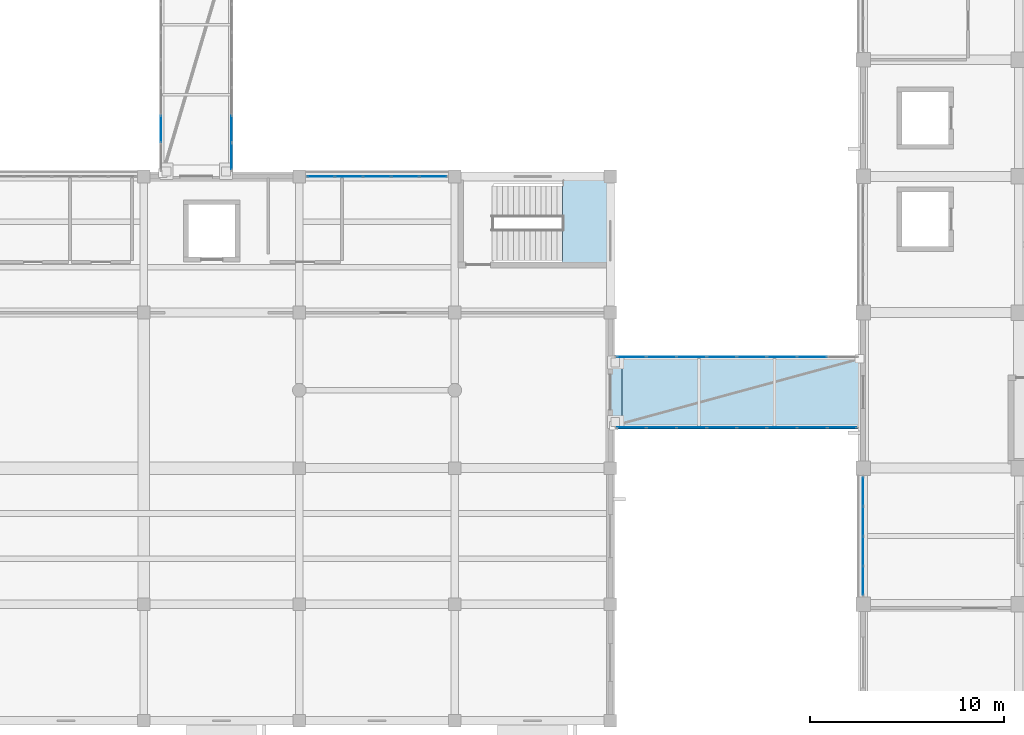
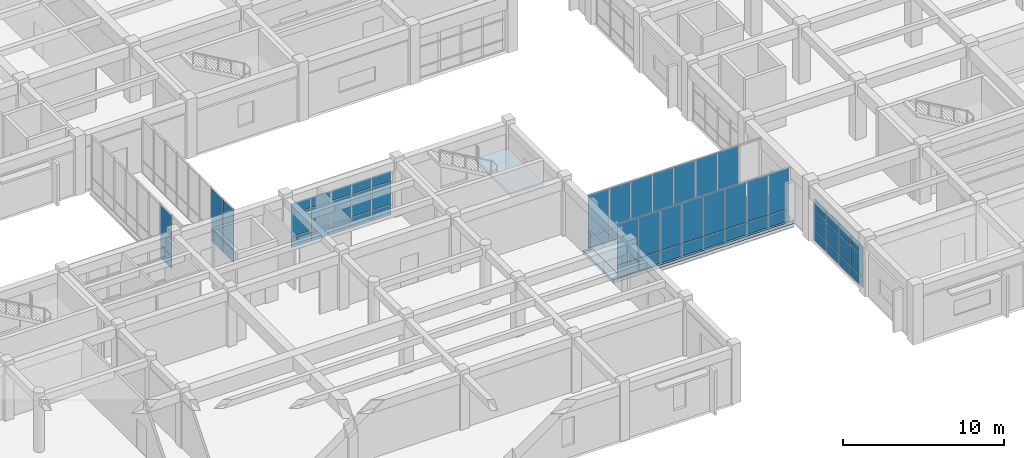
# One storey, part 39 of 70: 64 plates, 2 slabs, 7 elements without a shape of their own.
"""IFC4 building model written with IfcOpenShell, lengths in metres."""

from ifc_helpers import new_model, si_unit, direction, frame, origin, origin_2d, place, context, subcontext, project, spatial, polyline, rectangle, outline, extrude, material, layer, layer_set, type_object, element, aggregate, save


model = new_model("IFC4")

# Units and contexts
model_context = context("Model", 3, precision=1e-05, world=origin(), true_north=direction((0.0, 1.0)))
body_context = subcontext(model_context, "Body", "Model", "MODEL_VIEW")
ifc_project = project(units=[si_unit("LENGTHUNIT", "METRE"), si_unit("AREAUNIT", "SQUARE_METRE"), si_unit("VOLUMEUNIT", "CUBIC_METRE"), si_unit("PLANEANGLEUNIT", "RADIAN"), si_unit("MASSUNIT", "GRAM", prefix="KILO")], contexts=[model_context])

# Site, building, storey
site_placement = place(None, origin())
site = spatial("IfcSite", under=ifc_project, at=site_placement, CompositionType="ELEMENT")
building_placement = place(site_placement, origin())
building = spatial("IfcBuilding", under=site, at=building_placement, Name="Naurynzar Civic Courthouse", CompositionType="ELEMENT")
storey_placement = place(building_placement, frame((0.0, 0.0, 5.39990234375)))
storey = spatial("IfcBuildingStorey", under=building, at=storey_placement, Name="L02", CompositionType="ELEMENT", Elevation=5.39990234375)

# Curtain wall, plates
ifc_material_1 = material(Name="Aluminium 6063-T6", Category="aluminium")
ifc_layer_1 = layer(ifc_material_1, 0.179931640625)
ifc_layer_set_1 = layer_set([ifc_layer_1], Name="CW-UNIT-1500")
curtain_wall_type_1 = type_object("IfcCurtainWallType", Name="CW-UNIT-1500", PredefinedType="NOTDEFINED", material=ifc_layer_set_1)
curtain_wall_1_placement = place(storey_placement, origin())
curtain_wall_1 = element("IfcCurtainWall", 1, at=curtain_wall_1_placement, inside=storey, type_object=curtain_wall_type_1, Name="V3 unitised curtain wall 66 L02", PredefinedType="NOTDEFINED")
ifc_material_2 = material(Name="Tempered Laminated Low-E Glass", Category="glass")
ifc_layer_2 = layer(ifc_material_2, 0.031982421875)
ifc_layer_set_2 = layer_set([ifc_layer_2], Name="CWP-IGU-32")
plate_type_1 = type_object("IfcPlateType", Name="CWP-IGU-32", PredefinedType="CURTAIN_PANEL", material=ifc_layer_set_2)
plate_1_placement = place(storey_placement, frame((102.114990234375, 32.0, 0.06005859375), z_axis=(0.0, 0.0, 1.0), x_axis=(1.0, 0.0, 0.0)))
plate_1 = element("IfcPlate", 2, at=plate_1_placement, type_object=plate_type_1, Name="CW-01 panel 1.1", PredefinedType="CURTAIN_PANEL", context=body_context, shape_type="SweptSolid", body=[
    extrude(rectangle(XDim=1.360107421875, YDim=0.031982421875, at=origin_2d()), origin(), (0.0, 0.0, 1.0), 0.760009765625),
])
plate_2_placement = place(storey_placement, frame((102.114990234375, 32.0, 0.88037109375), z_axis=(0.0, 0.0, 1.0), x_axis=(1.0, 0.0, 0.0)))
plate_2 = element("IfcPlate", 3, at=plate_2_placement, type_object=plate_type_1, Name="CW-01 panel 1.2", PredefinedType="CURTAIN_PANEL", context=body_context, shape_type="SweptSolid", body=[
    extrude(rectangle(XDim=1.360107421875, YDim=0.031982421875, at=origin_2d()), origin(), (0.0, 0.0, 1.0), 1.679931640625),
])
plate_3_placement = place(storey_placement, frame((102.114990234375, 32.0, 2.6201171875), z_axis=(0.0, 0.0, 1.0), x_axis=(1.0, 0.0, 0.0)))
plate_3 = element("IfcPlate", 4, at=plate_3_placement, type_object=plate_type_1, Name="CW-01 panel 1.3", PredefinedType="CURTAIN_PANEL", context=body_context, shape_type="SweptSolid", body=[
    extrude(rectangle(XDim=1.360107421875, YDim=0.031982421875, at=origin_2d()), origin(), (0.0, 0.0, 1.0), 0.760009765625),
])
plate_4_placement = place(storey_placement, frame((103.550048828125, 32.0, 0.06005859375), z_axis=(0.0, 0.0, 1.0), x_axis=(1.0, 0.0, 0.0)))
plate_4 = element("IfcPlate", 5, at=plate_4_placement, type_object=plate_type_1, Name="CW-01 panel 2.1", PredefinedType="CURTAIN_PANEL", context=body_context, shape_type="SweptSolid", body=[
    extrude(rectangle(XDim=1.389892578125, YDim=0.031982421875, at=origin_2d()), origin(), (0.0, 0.0, 1.0), 0.760009765625),
])
plate_5_placement = place(storey_placement, frame((103.550048828125, 32.0, 0.88037109375), z_axis=(0.0, 0.0, 1.0), x_axis=(1.0, 0.0, 0.0)))
plate_5 = element("IfcPlate", 6, at=plate_5_placement, type_object=plate_type_1, Name="CW-01 panel 2.2", PredefinedType="CURTAIN_PANEL", context=body_context, shape_type="SweptSolid", body=[
    extrude(rectangle(XDim=1.389892578125, YDim=0.031982421875, at=origin_2d()), origin(), (0.0, 0.0, 1.0), 1.679931640625),
])
plate_6_placement = place(storey_placement, frame((103.550048828125, 32.0, 2.6201171875), z_axis=(0.0, 0.0, 1.0), x_axis=(1.0, 0.0, 0.0)))
plate_6 = element("IfcPlate", 7, at=plate_6_placement, type_object=plate_type_1, Name="CW-01 panel 2.3", PredefinedType="CURTAIN_PANEL", context=body_context, shape_type="SweptSolid", body=[
    extrude(rectangle(XDim=1.389892578125, YDim=0.031982421875, at=origin_2d()), origin(), (0.0, 0.0, 1.0), 0.760009765625),
])
plate_7_placement = place(storey_placement, frame((105.0, 32.0, 0.06005859375), z_axis=(0.0, 0.0, 1.0), x_axis=(1.0, 0.0, 0.0)))
plate_7 = element("IfcPlate", 8, at=plate_7_placement, type_object=plate_type_1, Name="CW-01 panel 3.1", PredefinedType="CURTAIN_PANEL", context=body_context, shape_type="SweptSolid", body=[
    extrude(rectangle(XDim=1.389892578125, YDim=0.031982421875, at=origin_2d()), origin(), (0.0, 0.0, 1.0), 0.760009765625),
])
plate_8_placement = place(storey_placement, frame((105.0, 32.0, 0.88037109375), z_axis=(0.0, 0.0, 1.0), x_axis=(1.0, 0.0, 0.0)))
plate_8 = element("IfcPlate", 9, at=plate_8_placement, type_object=plate_type_1, Name="CW-01 panel 3.2", PredefinedType="CURTAIN_PANEL", context=body_context, shape_type="SweptSolid", body=[
    extrude(rectangle(XDim=1.389892578125, YDim=0.031982421875, at=origin_2d()), origin(), (0.0, 0.0, 1.0), 1.679931640625),
])
plate_9_placement = place(storey_placement, frame((105.0, 32.0, 2.6201171875), z_axis=(0.0, 0.0, 1.0), x_axis=(1.0, 0.0, 0.0)))
plate_9 = element("IfcPlate", 10, at=plate_9_placement, type_object=plate_type_1, Name="CW-01 panel 3.3", PredefinedType="CURTAIN_PANEL", context=body_context, shape_type="SweptSolid", body=[
    extrude(rectangle(XDim=1.389892578125, YDim=0.031982421875, at=origin_2d()), origin(), (0.0, 0.0, 1.0), 0.760009765625),
])
plate_10_placement = place(storey_placement, frame((106.449951171875, 32.0, 0.06005859375), z_axis=(0.0, 0.0, 1.0), x_axis=(1.0, 0.0, 0.0)))
plate_10 = element("IfcPlate", 11, at=plate_10_placement, type_object=plate_type_1, Name="CW-01 panel 4.1", PredefinedType="CURTAIN_PANEL", context=body_context, shape_type="SweptSolid", body=[
    extrude(rectangle(XDim=1.389892578125, YDim=0.031982421875, at=origin_2d()), origin(), (0.0, 0.0, 1.0), 0.760009765625),
])
plate_11_placement = place(storey_placement, frame((106.449951171875, 32.0, 0.88037109375), z_axis=(0.0, 0.0, 1.0), x_axis=(1.0, 0.0, 0.0)))
plate_11 = element("IfcPlate", 12, at=plate_11_placement, type_object=plate_type_1, Name="CW-01 panel 4.2", PredefinedType="CURTAIN_PANEL", context=body_context, shape_type="SweptSolid", body=[
    extrude(rectangle(XDim=1.389892578125, YDim=0.031982421875, at=origin_2d()), origin(), (0.0, 0.0, 1.0), 1.679931640625),
])
plate_12_placement = place(storey_placement, frame((106.449951171875, 32.0, 2.6201171875), z_axis=(0.0, 0.0, 1.0), x_axis=(1.0, 0.0, 0.0)))
plate_12 = element("IfcPlate", 13, at=plate_12_placement, type_object=plate_type_1, Name="CW-01 panel 4.3", PredefinedType="CURTAIN_PANEL", context=body_context, shape_type="SweptSolid", body=[
    extrude(rectangle(XDim=1.389892578125, YDim=0.031982421875, at=origin_2d()), origin(), (0.0, 0.0, 1.0), 0.760009765625),
])
plate_13_placement = place(storey_placement, frame((107.885009765625, 32.0, 0.06005859375), z_axis=(0.0, 0.0, 1.0), x_axis=(1.0, 0.0, 0.0)))
plate_13 = element("IfcPlate", 14, at=plate_13_placement, type_object=plate_type_1, Name="CW-01 panel 5.1", PredefinedType="CURTAIN_PANEL", context=body_context, shape_type="SweptSolid", body=[
    extrude(rectangle(XDim=1.360107421875, YDim=0.031982421875, at=origin_2d()), origin(), (0.0, 0.0, 1.0), 0.760009765625),
])
plate_14_placement = place(storey_placement, frame((107.885009765625, 32.0, 0.88037109375), z_axis=(0.0, 0.0, 1.0), x_axis=(1.0, 0.0, 0.0)))
plate_14 = element("IfcPlate", 15, at=plate_14_placement, type_object=plate_type_1, Name="CW-01 panel 5.2", PredefinedType="CURTAIN_PANEL", context=body_context, shape_type="SweptSolid", body=[
    extrude(rectangle(XDim=1.360107421875, YDim=0.031982421875, at=origin_2d()), origin(), (0.0, 0.0, 1.0), 1.679931640625),
])
plate_15_placement = place(storey_placement, frame((107.885009765625, 32.0, 2.6201171875), z_axis=(0.0, 0.0, 1.0), x_axis=(1.0, 0.0, 0.0)))
plate_15 = element("IfcPlate", 16, at=plate_15_placement, type_object=plate_type_1, Name="CW-01 panel 5.3", PredefinedType="CURTAIN_PANEL", context=body_context, shape_type="SweptSolid", body=[
    extrude(rectangle(XDim=1.360107421875, YDim=0.031982421875, at=origin_2d()), origin(), (0.0, 0.0, 1.0), 0.760009765625),
])
aggregate(curtain_wall_1, [plate_1, plate_2, plate_3, plate_4, plate_5, plate_6, plate_7, plate_8, plate_9, plate_10, plate_11, plate_12, plate_13, plate_14, plate_15])

curtain_wall_2_placement = place(storey_placement, origin())
curtain_wall_2 = element("IfcCurtainWall", 17, at=curtain_wall_2_placement, inside=storey, type_object=curtain_wall_type_1, Name="V5 unitised curtain wall 85 L02", PredefinedType="NOTDEFINED")
plate_16_placement = place(storey_placement, frame((130.0, 11.208740234375, 0.06005859375), z_axis=(0.0, 0.0, 1.0), x_axis=(0.0, 1.0, 0.0)))
plate_16 = element("IfcPlate", 18, at=plate_16_placement, type_object=plate_type_1, Name="CW-01 panel 1.1", PredefinedType="CURTAIN_PANEL", context=body_context, shape_type="SweptSolid", body=[
    extrude(rectangle(XDim=1.447509765625, YDim=0.031982421875, at=origin_2d()), origin(), (0.0, 0.0, 1.0), 0.760009765625),
])
plate_17_placement = place(storey_placement, frame((130.0, 11.208740234375, 0.8798828125), z_axis=(0.0, 0.0, 1.0), x_axis=(0.0, 1.0, 0.0)))
plate_17 = element("IfcPlate", 19, at=plate_17_placement, type_object=plate_type_1, Name="CW-01 panel 1.2", PredefinedType="CURTAIN_PANEL", context=body_context, shape_type="SweptSolid", body=[
    extrude(rectangle(XDim=1.447509765625, YDim=0.031982421875, at=origin_2d()), origin(), (0.0, 0.0, 1.0), 1.469970703125),
])
plate_18_placement = place(storey_placement, frame((130.0, 11.208740234375, 2.41015625), z_axis=(0.0, 0.0, 1.0), x_axis=(0.0, 1.0, 0.0)))
plate_18 = element("IfcPlate", 20, at=plate_18_placement, type_object=plate_type_1, Name="CW-01 panel 1.3", PredefinedType="CURTAIN_PANEL", context=body_context, shape_type="SweptSolid", body=[
    extrude(rectangle(XDim=1.447509765625, YDim=0.031982421875, at=origin_2d()), origin(), (0.0, 0.0, 1.0), 0.760009765625),
])
plate_19_placement = place(storey_placement, frame((130.0, 12.731201171875, 0.06005859375), z_axis=(0.0, 0.0, 1.0), x_axis=(0.0, 1.0, 0.0)))
plate_19 = element("IfcPlate", 21, at=plate_19_placement, type_object=plate_type_1, Name="CW-01 panel 2.1", PredefinedType="CURTAIN_PANEL", context=body_context, shape_type="SweptSolid", body=[
    extrude(rectangle(XDim=1.4775390625, YDim=0.031982421875, at=origin_2d()), origin(), (0.0, 0.0, 1.0), 0.760009765625),
])
plate_20_placement = place(storey_placement, frame((130.0, 12.731201171875, 0.8798828125), z_axis=(0.0, 0.0, 1.0), x_axis=(0.0, 1.0, 0.0)))
plate_20 = element("IfcPlate", 22, at=plate_20_placement, type_object=plate_type_1, Name="CW-01 panel 2.2", PredefinedType="CURTAIN_PANEL", context=body_context, shape_type="SweptSolid", body=[
    extrude(rectangle(XDim=1.4775390625, YDim=0.031982421875, at=origin_2d()), origin(), (0.0, 0.0, 1.0), 1.469970703125),
])
plate_21_placement = place(storey_placement, frame((130.0, 12.731201171875, 2.41015625), z_axis=(0.0, 0.0, 1.0), x_axis=(0.0, 1.0, 0.0)))
plate_21 = element("IfcPlate", 23, at=plate_21_placement, type_object=plate_type_1, Name="CW-01 panel 2.3", PredefinedType="CURTAIN_PANEL", context=body_context, shape_type="SweptSolid", body=[
    extrude(rectangle(XDim=1.4775390625, YDim=0.031982421875, at=origin_2d()), origin(), (0.0, 0.0, 1.0), 0.760009765625),
])
plate_22_placement = place(storey_placement, frame((130.0, 14.268798828125, 0.06005859375), z_axis=(0.0, 0.0, 1.0), x_axis=(0.0, 1.0, 0.0)))
plate_22 = element("IfcPlate", 24, at=plate_22_placement, type_object=plate_type_1, Name="CW-01 panel 3.1", PredefinedType="CURTAIN_PANEL", context=body_context, shape_type="SweptSolid", body=[
    extrude(rectangle(XDim=1.4775390625, YDim=0.031982421875, at=origin_2d()), origin(), (0.0, 0.0, 1.0), 0.760009765625),
])
plate_23_placement = place(storey_placement, frame((130.0, 14.268798828125, 0.8798828125), z_axis=(0.0, 0.0, 1.0), x_axis=(0.0, 1.0, 0.0)))
plate_23 = element("IfcPlate", 25, at=plate_23_placement, type_object=plate_type_1, Name="CW-01 panel 3.2", PredefinedType="CURTAIN_PANEL", context=body_context, shape_type="SweptSolid", body=[
    extrude(rectangle(XDim=1.4775390625, YDim=0.031982421875, at=origin_2d()), origin(), (0.0, 0.0, 1.0), 1.469970703125),
])
plate_24_placement = place(storey_placement, frame((130.0, 14.268798828125, 2.41015625), z_axis=(0.0, 0.0, 1.0), x_axis=(0.0, 1.0, 0.0)))
plate_24 = element("IfcPlate", 26, at=plate_24_placement, type_object=plate_type_1, Name="CW-01 panel 3.3", PredefinedType="CURTAIN_PANEL", context=body_context, shape_type="SweptSolid", body=[
    extrude(rectangle(XDim=1.4775390625, YDim=0.031982421875, at=origin_2d()), origin(), (0.0, 0.0, 1.0), 0.760009765625),
])
plate_25_placement = place(storey_placement, frame((130.0, 15.791259765625, 0.06005859375), z_axis=(0.0, 0.0, 1.0), x_axis=(0.0, 1.0, 0.0)))
plate_25 = element("IfcPlate", 27, at=plate_25_placement, type_object=plate_type_1, Name="CW-01 panel 4.1", PredefinedType="CURTAIN_PANEL", context=body_context, shape_type="SweptSolid", body=[
    extrude(rectangle(XDim=1.447509765625, YDim=0.031982421875, at=origin_2d()), origin(), (0.0, 0.0, 1.0), 0.760009765625),
])
plate_26_placement = place(storey_placement, frame((130.0, 15.791259765625, 0.8798828125), z_axis=(0.0, 0.0, 1.0), x_axis=(0.0, 1.0, 0.0)))
plate_26 = element("IfcPlate", 28, at=plate_26_placement, type_object=plate_type_1, Name="CW-01 panel 4.2", PredefinedType="CURTAIN_PANEL", context=body_context, shape_type="SweptSolid", body=[
    extrude(rectangle(XDim=1.447509765625, YDim=0.031982421875, at=origin_2d()), origin(), (0.0, 0.0, 1.0), 1.469970703125),
])
plate_27_placement = place(storey_placement, frame((130.0, 15.791259765625, 2.41015625), z_axis=(0.0, 0.0, 1.0), x_axis=(0.0, 1.0, 0.0)))
plate_27 = element("IfcPlate", 29, at=plate_27_placement, type_object=plate_type_1, Name="CW-01 panel 4.3", PredefinedType="CURTAIN_PANEL", context=body_context, shape_type="SweptSolid", body=[
    extrude(rectangle(XDim=1.447509765625, YDim=0.031982421875, at=origin_2d()), origin(), (0.0, 0.0, 1.0), 0.760009765625),
])
aggregate(curtain_wall_2, [plate_16, plate_17, plate_18, plate_19, plate_20, plate_21, plate_22, plate_23, plate_24, plate_25, plate_26, plate_27])

ifc_material_3 = material(Name="Aluminium 6063-T6", Category="aluminium")
ifc_layer_3 = layer(ifc_material_3, 0.14990234375)
ifc_layer_set_3 = layer_set([ifc_layer_3], Name="CW-BRIDGE-1500")
curtain_wall_type_2 = type_object("IfcCurtainWallType", Name="CW-BRIDGE-1500", PredefinedType="USERDEFINED", material=ifc_layer_set_3)
curtain_wall_3_placement = place(storey_placement, origin())
curtain_wall_3 = element("IfcCurtainWall", 30, at=curtain_wall_3_placement, inside=storey, type_object=curtain_wall_type_2, Name="BR-C1 glazed bridge screen L02.1", ObjectType="GLAZED BRIDGE SCREEN", PredefinedType="USERDEFINED")
plate_28_placement = place(storey_placement, frame((93.8798828125, 34.4375, 0.06005859375), z_axis=(0.0, 0.0, 1.0), x_axis=(0.0, -1.0, 0.0)))
plate_28 = element("IfcPlate", 31, at=plate_28_placement, type_object=plate_type_1, Name="CW-03 panel 7.1", PredefinedType="CURTAIN_PANEL", context=body_context, shape_type="SweptSolid", body=[
    extrude(rectangle(XDim=1.364990234375, YDim=0.031982421875, at=origin_2d()), origin(), (0.0, 0.0, 1.0), 0.909912109375),
])
plate_29_placement = place(storey_placement, frame((93.8798828125, 34.4375, 1.0302734375), z_axis=(0.0, 0.0, 1.0), x_axis=(0.0, -1.0, 0.0)))
plate_29 = element("IfcPlate", 32, at=plate_29_placement, type_object=plate_type_1, Name="CW-03 panel 7.2", PredefinedType="CURTAIN_PANEL", context=body_context, shape_type="SweptSolid", body=[
    extrude(rectangle(XDim=1.364990234375, YDim=0.031982421875, at=origin_2d()), origin(), (0.0, 0.0, 1.0), 3.030029296875),
])
aggregate(curtain_wall_3, [plate_28, plate_29])

curtain_wall_4_placement = place(storey_placement, origin())
curtain_wall_4 = element("IfcCurtainWall", 33, at=curtain_wall_4_placement, inside=storey, type_object=curtain_wall_type_2, Name="BR-C1 glazed bridge screen L02.2", ObjectType="GLAZED BRIDGE SCREEN", PredefinedType="USERDEFINED")
plate_30_placement = place(storey_placement, frame((97.52001953125, 33.027587890625, 0.06005859375), z_axis=(0.0, 0.0, 1.0), x_axis=(0.0, 1.0, 0.0)))
plate_30 = element("IfcPlate", 34, at=plate_30_placement, type_object=plate_type_1, Name="CW-03 panel 1.1", PredefinedType="CURTAIN_PANEL", context=body_context, shape_type="SweptSolid", body=[
    extrude(rectangle(XDim=1.3349609375, YDim=0.031982421875, at=origin_2d()), origin(), (0.0, 0.0, 1.0), 0.909912109375),
])
plate_31_placement = place(storey_placement, frame((97.52001953125, 33.027587890625, 1.0302734375), z_axis=(0.0, 0.0, 1.0), x_axis=(0.0, 1.0, 0.0)))
plate_31 = element("IfcPlate", 35, at=plate_31_placement, type_object=plate_type_1, Name="CW-03 panel 1.2", PredefinedType="CURTAIN_PANEL", context=body_context, shape_type="SweptSolid", body=[
    extrude(rectangle(XDim=1.3349609375, YDim=0.031982421875, at=origin_2d()), origin(), (0.0, 0.0, 1.0), 3.030029296875),
])
plate_32_placement = place(storey_placement, frame((97.52001953125, 34.4375, 0.06005859375), z_axis=(0.0, 0.0, 1.0), x_axis=(0.0, 1.0, 0.0)))
plate_32 = element("IfcPlate", 36, at=plate_32_placement, type_object=plate_type_1, Name="CW-03 panel 2.1", PredefinedType="CURTAIN_PANEL", context=body_context, shape_type="SweptSolid", body=[
    extrude(rectangle(XDim=1.364990234375, YDim=0.031982421875, at=origin_2d()), origin(), (0.0, 0.0, 1.0), 0.909912109375),
])
plate_33_placement = place(storey_placement, frame((97.52001953125, 34.4375, 1.0302734375), z_axis=(0.0, 0.0, 1.0), x_axis=(0.0, 1.0, 0.0)))
plate_33 = element("IfcPlate", 37, at=plate_33_placement, type_object=plate_type_1, Name="CW-03 panel 2.2", PredefinedType="CURTAIN_PANEL", context=body_context, shape_type="SweptSolid", body=[
    extrude(rectangle(XDim=1.364990234375, YDim=0.031982421875, at=origin_2d()), origin(), (0.0, 0.0, 1.0), 3.030029296875),
])
aggregate(curtain_wall_4, [plate_30, plate_31, plate_32, plate_33])

curtain_wall_5_placement = place(storey_placement, origin())
curtain_wall_5 = element("IfcCurtainWall", 38, at=curtain_wall_5_placement, inside=storey, type_object=curtain_wall_type_2, Name="BR-E2 glazed bridge screen L02.1", ObjectType="GLAZED BRIDGE SCREEN", PredefinedType="USERDEFINED")
plate_34_placement = place(storey_placement, frame((118.090087890625, 19.080078125, 0.06005859375), z_axis=(0.0, 0.0, 1.0), x_axis=(1.0, 0.0, 0.0)))
plate_34 = element("IfcPlate", 39, at=plate_34_placement, type_object=plate_type_1, Name="CW-03 panel 1.1", PredefinedType="CURTAIN_PANEL", context=body_context, shape_type="SweptSolid", body=[
    extrude(rectangle(XDim=1.4599609375, YDim=0.031982421875, at=origin_2d()), origin(), (0.0, 0.0, 1.0), 0.909912109375),
])
plate_35_placement = place(storey_placement, frame((118.090087890625, 19.080078125, 1.0302734375), z_axis=(0.0, 0.0, 1.0), x_axis=(1.0, 0.0, 0.0)))
plate_35 = element("IfcPlate", 40, at=plate_35_placement, type_object=plate_type_1, Name="CW-03 panel 1.2", PredefinedType="CURTAIN_PANEL", context=body_context, shape_type="SweptSolid", body=[
    extrude(rectangle(XDim=1.4599609375, YDim=0.031982421875, at=origin_2d()), origin(), (0.0, 0.0, 1.0), 3.030029296875),
])
plate_36_placement = place(storey_placement, frame((119.625, 19.080078125, 0.06005859375), z_axis=(0.0, 0.0, 1.0), x_axis=(1.0, 0.0, 0.0)))
plate_36 = element("IfcPlate", 41, at=plate_36_placement, type_object=plate_type_1, Name="CW-03 panel 2.1", PredefinedType="CURTAIN_PANEL", context=body_context, shape_type="SweptSolid", body=[
    extrude(rectangle(XDim=1.489990234375, YDim=0.031982421875, at=origin_2d()), origin(), (0.0, 0.0, 1.0), 0.909912109375),
])
plate_37_placement = place(storey_placement, frame((119.625, 19.080078125, 1.0302734375), z_axis=(0.0, 0.0, 1.0), x_axis=(1.0, 0.0, 0.0)))
plate_37 = element("IfcPlate", 42, at=plate_37_placement, type_object=plate_type_1, Name="CW-03 panel 2.2", PredefinedType="CURTAIN_PANEL", context=body_context, shape_type="SweptSolid", body=[
    extrude(rectangle(XDim=1.489990234375, YDim=0.031982421875, at=origin_2d()), origin(), (0.0, 0.0, 1.0), 3.030029296875),
])
plate_38_placement = place(storey_placement, frame((121.175048828125, 19.080078125, 0.06005859375), z_axis=(0.0, 0.0, 1.0), x_axis=(1.0, 0.0, 0.0)))
plate_38 = element("IfcPlate", 43, at=plate_38_placement, type_object=plate_type_1, Name="CW-03 panel 3.1", PredefinedType="CURTAIN_PANEL", context=body_context, shape_type="SweptSolid", body=[
    extrude(rectangle(XDim=1.489990234375, YDim=0.031982421875, at=origin_2d()), origin(), (0.0, 0.0, 1.0), 0.909912109375),
])
plate_39_placement = place(storey_placement, frame((121.175048828125, 19.080078125, 1.0302734375), z_axis=(0.0, 0.0, 1.0), x_axis=(1.0, 0.0, 0.0)))
plate_39 = element("IfcPlate", 44, at=plate_39_placement, type_object=plate_type_1, Name="CW-03 panel 3.2", PredefinedType="CURTAIN_PANEL", context=body_context, shape_type="SweptSolid", body=[
    extrude(rectangle(XDim=1.489990234375, YDim=0.031982421875, at=origin_2d()), origin(), (0.0, 0.0, 1.0), 3.030029296875),
])
plate_40_placement = place(storey_placement, frame((122.72509765625, 19.080078125, 0.06005859375), z_axis=(0.0, 0.0, 1.0), x_axis=(1.0, 0.0, 0.0)))
plate_40 = element("IfcPlate", 45, at=plate_40_placement, type_object=plate_type_1, Name="CW-03 panel 4.1", PredefinedType="CURTAIN_PANEL", context=body_context, shape_type="SweptSolid", body=[
    extrude(rectangle(XDim=1.489990234375, YDim=0.031982421875, at=origin_2d()), origin(), (0.0, 0.0, 1.0), 0.909912109375),
])
plate_41_placement = place(storey_placement, frame((122.72509765625, 19.080078125, 1.0302734375), z_axis=(0.0, 0.0, 1.0), x_axis=(1.0, 0.0, 0.0)))
plate_41 = element("IfcPlate", 46, at=plate_41_placement, type_object=plate_type_1, Name="CW-03 panel 4.2", PredefinedType="CURTAIN_PANEL", context=body_context, shape_type="SweptSolid", body=[
    extrude(rectangle(XDim=1.489990234375, YDim=0.031982421875, at=origin_2d()), origin(), (0.0, 0.0, 1.0), 3.030029296875),
])
plate_42_placement = place(storey_placement, frame((124.27490234375, 19.080078125, 0.06005859375), z_axis=(0.0, 0.0, 1.0), x_axis=(1.0, 0.0, 0.0)))
plate_42 = element("IfcPlate", 47, at=plate_42_placement, type_object=plate_type_1, Name="CW-03 panel 5.1", PredefinedType="CURTAIN_PANEL", context=body_context, shape_type="SweptSolid", body=[
    extrude(rectangle(XDim=1.489990234375, YDim=0.031982421875, at=origin_2d()), origin(), (0.0, 0.0, 1.0), 0.909912109375),
])
plate_43_placement = place(storey_placement, frame((124.27490234375, 19.080078125, 1.0302734375), z_axis=(0.0, 0.0, 1.0), x_axis=(1.0, 0.0, 0.0)))
plate_43 = element("IfcPlate", 48, at=plate_43_placement, type_object=plate_type_1, Name="CW-03 panel 5.2", PredefinedType="CURTAIN_PANEL", context=body_context, shape_type="SweptSolid", body=[
    extrude(rectangle(XDim=1.489990234375, YDim=0.031982421875, at=origin_2d()), origin(), (0.0, 0.0, 1.0), 3.030029296875),
])
plate_44_placement = place(storey_placement, frame((125.824951171875, 19.080078125, 0.06005859375), z_axis=(0.0, 0.0, 1.0), x_axis=(1.0, 0.0, 0.0)))
plate_44 = element("IfcPlate", 49, at=plate_44_placement, type_object=plate_type_1, Name="CW-03 panel 6.1", PredefinedType="CURTAIN_PANEL", context=body_context, shape_type="SweptSolid", body=[
    extrude(rectangle(XDim=1.489990234375, YDim=0.031982421875, at=origin_2d()), origin(), (0.0, 0.0, 1.0), 0.909912109375),
])
plate_45_placement = place(storey_placement, frame((125.824951171875, 19.080078125, 1.0302734375), z_axis=(0.0, 0.0, 1.0), x_axis=(1.0, 0.0, 0.0)))
plate_45 = element("IfcPlate", 50, at=plate_45_placement, type_object=plate_type_1, Name="CW-03 panel 6.2", PredefinedType="CURTAIN_PANEL", context=body_context, shape_type="SweptSolid", body=[
    extrude(rectangle(XDim=1.489990234375, YDim=0.031982421875, at=origin_2d()), origin(), (0.0, 0.0, 1.0), 3.030029296875),
])
plate_46_placement = place(storey_placement, frame((127.375, 19.080078125, 0.06005859375), z_axis=(0.0, 0.0, 1.0), x_axis=(1.0, 0.0, 0.0)))
plate_46 = element("IfcPlate", 51, at=plate_46_placement, type_object=plate_type_1, Name="CW-03 panel 7.1", PredefinedType="CURTAIN_PANEL", context=body_context, shape_type="SweptSolid", body=[
    extrude(rectangle(XDim=1.489990234375, YDim=0.031982421875, at=origin_2d()), origin(), (0.0, 0.0, 1.0), 0.909912109375),
])
plate_47_placement = place(storey_placement, frame((127.375, 19.080078125, 1.0302734375), z_axis=(0.0, 0.0, 1.0), x_axis=(1.0, 0.0, 0.0)))
plate_47 = element("IfcPlate", 52, at=plate_47_placement, type_object=plate_type_1, Name="CW-03 panel 7.2", PredefinedType="CURTAIN_PANEL", context=body_context, shape_type="SweptSolid", body=[
    extrude(rectangle(XDim=1.489990234375, YDim=0.031982421875, at=origin_2d()), origin(), (0.0, 0.0, 1.0), 3.030029296875),
])
plate_48_placement = place(storey_placement, frame((128.909912109375, 19.080078125, 0.06005859375), z_axis=(0.0, 0.0, 1.0), x_axis=(1.0, 0.0, 0.0)))
plate_48 = element("IfcPlate", 53, at=plate_48_placement, type_object=plate_type_1, Name="CW-03 panel 8.1", PredefinedType="CURTAIN_PANEL", context=body_context, shape_type="SweptSolid", body=[
    extrude(rectangle(XDim=1.4599609375, YDim=0.031982421875, at=origin_2d()), origin(), (0.0, 0.0, 1.0), 0.909912109375),
])
plate_49_placement = place(storey_placement, frame((128.909912109375, 19.080078125, 1.0302734375), z_axis=(0.0, 0.0, 1.0), x_axis=(1.0, 0.0, 0.0)))
plate_49 = element("IfcPlate", 54, at=plate_49_placement, type_object=plate_type_1, Name="CW-03 panel 8.2", PredefinedType="CURTAIN_PANEL", context=body_context, shape_type="SweptSolid", body=[
    extrude(rectangle(XDim=1.4599609375, YDim=0.031982421875, at=origin_2d()), origin(), (0.0, 0.0, 1.0), 3.030029296875),
])
aggregate(curtain_wall_5, [plate_34, plate_35, plate_36, plate_37, plate_38, plate_39, plate_40, plate_41, plate_42, plate_43, plate_44, plate_45, plate_46, plate_47, plate_48, plate_49])

curtain_wall_6_placement = place(storey_placement, origin())
curtain_wall_6 = element("IfcCurtainWall", 55, at=curtain_wall_6_placement, inside=storey, type_object=curtain_wall_type_2, Name="BR-E2 glazed bridge screen L02.2", ObjectType="GLAZED BRIDGE SCREEN", PredefinedType="USERDEFINED")
plate_50_placement = place(storey_placement, frame((127.375, 22.719970703125, 0.06005859375), z_axis=(0.0, 0.0, 1.0), x_axis=(-1.0, 0.0, 0.0)))
plate_50 = element("IfcPlate", 56, at=plate_50_placement, type_object=plate_type_1, Name="CW-03 panel 2.1", PredefinedType="CURTAIN_PANEL", context=body_context, shape_type="SweptSolid", body=[
    extrude(rectangle(XDim=1.489990234375, YDim=0.031982421875, at=origin_2d()), origin(), (0.0, 0.0, 1.0), 0.909912109375),
])
plate_51_placement = place(storey_placement, frame((127.375, 22.719970703125, 1.0302734375), z_axis=(0.0, 0.0, 1.0), x_axis=(-1.0, 0.0, 0.0)))
plate_51 = element("IfcPlate", 57, at=plate_51_placement, type_object=plate_type_1, Name="CW-03 panel 2.2", PredefinedType="CURTAIN_PANEL", context=body_context, shape_type="SweptSolid", body=[
    extrude(rectangle(XDim=1.489990234375, YDim=0.031982421875, at=origin_2d()), origin(), (0.0, 0.0, 1.0), 3.030029296875),
])
plate_52_placement = place(storey_placement, frame((125.824951171875, 22.719970703125, 0.06005859375), z_axis=(0.0, 0.0, 1.0), x_axis=(-1.0, 0.0, 0.0)))
plate_52 = element("IfcPlate", 58, at=plate_52_placement, type_object=plate_type_1, Name="CW-03 panel 3.1", PredefinedType="CURTAIN_PANEL", context=body_context, shape_type="SweptSolid", body=[
    extrude(rectangle(XDim=1.489990234375, YDim=0.031982421875, at=origin_2d()), origin(), (0.0, 0.0, 1.0), 0.909912109375),
])
plate_53_placement = place(storey_placement, frame((125.824951171875, 22.719970703125, 1.0302734375), z_axis=(0.0, 0.0, 1.0), x_axis=(-1.0, 0.0, 0.0)))
plate_53 = element("IfcPlate", 59, at=plate_53_placement, type_object=plate_type_1, Name="CW-03 panel 3.2", PredefinedType="CURTAIN_PANEL", context=body_context, shape_type="SweptSolid", body=[
    extrude(rectangle(XDim=1.489990234375, YDim=0.031982421875, at=origin_2d()), origin(), (0.0, 0.0, 1.0), 3.030029296875),
])
plate_54_placement = place(storey_placement, frame((124.27490234375, 22.719970703125, 0.06005859375), z_axis=(0.0, 0.0, 1.0), x_axis=(-1.0, 0.0, 0.0)))
plate_54 = element("IfcPlate", 60, at=plate_54_placement, type_object=plate_type_1, Name="CW-03 panel 4.1", PredefinedType="CURTAIN_PANEL", context=body_context, shape_type="SweptSolid", body=[
    extrude(rectangle(XDim=1.489990234375, YDim=0.031982421875, at=origin_2d()), origin(), (0.0, 0.0, 1.0), 0.909912109375),
])
plate_55_placement = place(storey_placement, frame((124.27490234375, 22.719970703125, 1.0302734375), z_axis=(0.0, 0.0, 1.0), x_axis=(-1.0, 0.0, 0.0)))
plate_55 = element("IfcPlate", 61, at=plate_55_placement, type_object=plate_type_1, Name="CW-03 panel 4.2", PredefinedType="CURTAIN_PANEL", context=body_context, shape_type="SweptSolid", body=[
    extrude(rectangle(XDim=1.489990234375, YDim=0.031982421875, at=origin_2d()), origin(), (0.0, 0.0, 1.0), 3.030029296875),
])
plate_56_placement = place(storey_placement, frame((122.72509765625, 22.719970703125, 0.06005859375), z_axis=(0.0, 0.0, 1.0), x_axis=(-1.0, 0.0, 0.0)))
plate_56 = element("IfcPlate", 62, at=plate_56_placement, type_object=plate_type_1, Name="CW-03 panel 5.1", PredefinedType="CURTAIN_PANEL", context=body_context, shape_type="SweptSolid", body=[
    extrude(rectangle(XDim=1.489990234375, YDim=0.031982421875, at=origin_2d()), origin(), (0.0, 0.0, 1.0), 0.909912109375),
])
plate_57_placement = place(storey_placement, frame((122.72509765625, 22.719970703125, 1.0302734375), z_axis=(0.0, 0.0, 1.0), x_axis=(-1.0, 0.0, 0.0)))
plate_57 = element("IfcPlate", 63, at=plate_57_placement, type_object=plate_type_1, Name="CW-03 panel 5.2", PredefinedType="CURTAIN_PANEL", context=body_context, shape_type="SweptSolid", body=[
    extrude(rectangle(XDim=1.489990234375, YDim=0.031982421875, at=origin_2d()), origin(), (0.0, 0.0, 1.0), 3.030029296875),
])
plate_58_placement = place(storey_placement, frame((121.175048828125, 22.719970703125, 0.06005859375), z_axis=(0.0, 0.0, 1.0), x_axis=(-1.0, 0.0, 0.0)))
plate_58 = element("IfcPlate", 64, at=plate_58_placement, type_object=plate_type_1, Name="CW-03 panel 6.1", PredefinedType="CURTAIN_PANEL", context=body_context, shape_type="SweptSolid", body=[
    extrude(rectangle(XDim=1.489990234375, YDim=0.031982421875, at=origin_2d()), origin(), (0.0, 0.0, 1.0), 0.909912109375),
])
plate_59_placement = place(storey_placement, frame((121.175048828125, 22.719970703125, 1.0302734375), z_axis=(0.0, 0.0, 1.0), x_axis=(-1.0, 0.0, 0.0)))
plate_59 = element("IfcPlate", 65, at=plate_59_placement, type_object=plate_type_1, Name="CW-03 panel 6.2", PredefinedType="CURTAIN_PANEL", context=body_context, shape_type="SweptSolid", body=[
    extrude(rectangle(XDim=1.489990234375, YDim=0.031982421875, at=origin_2d()), origin(), (0.0, 0.0, 1.0), 3.030029296875),
])
plate_60_placement = place(storey_placement, frame((119.625, 22.719970703125, 0.06005859375), z_axis=(0.0, 0.0, 1.0), x_axis=(-1.0, 0.0, 0.0)))
plate_60 = element("IfcPlate", 66, at=plate_60_placement, type_object=plate_type_1, Name="CW-03 panel 7.1", PredefinedType="CURTAIN_PANEL", context=body_context, shape_type="SweptSolid", body=[
    extrude(rectangle(XDim=1.489990234375, YDim=0.031982421875, at=origin_2d()), origin(), (0.0, 0.0, 1.0), 0.909912109375),
])
plate_61_placement = place(storey_placement, frame((119.625, 22.719970703125, 1.0302734375), z_axis=(0.0, 0.0, 1.0), x_axis=(-1.0, 0.0, 0.0)))
plate_61 = element("IfcPlate", 67, at=plate_61_placement, type_object=plate_type_1, Name="CW-03 panel 7.2", PredefinedType="CURTAIN_PANEL", context=body_context, shape_type="SweptSolid", body=[
    extrude(rectangle(XDim=1.489990234375, YDim=0.031982421875, at=origin_2d()), origin(), (0.0, 0.0, 1.0), 3.030029296875),
])
plate_62_placement = place(storey_placement, frame((118.090087890625, 22.719970703125, 0.06005859375), z_axis=(0.0, 0.0, 1.0), x_axis=(-1.0, 0.0, 0.0)))
plate_62 = element("IfcPlate", 68, at=plate_62_placement, type_object=plate_type_1, Name="CW-03 panel 8.1", PredefinedType="CURTAIN_PANEL", context=body_context, shape_type="SweptSolid", body=[
    extrude(rectangle(XDim=1.4599609375, YDim=0.031982421875, at=origin_2d()), origin(), (0.0, 0.0, 1.0), 0.909912109375),
])
plate_63_placement = place(storey_placement, frame((118.090087890625, 22.719970703125, 1.0302734375), z_axis=(0.0, 0.0, 1.0), x_axis=(-1.0, 0.0, 0.0)))
plate_63 = element("IfcPlate", 69, at=plate_63_placement, type_object=plate_type_1, Name="CW-03 panel 8.2", PredefinedType="CURTAIN_PANEL", context=body_context, shape_type="SweptSolid", body=[
    extrude(rectangle(XDim=1.4599609375, YDim=0.031982421875, at=origin_2d()), origin(), (0.0, 0.0, 1.0), 3.030029296875),
])
aggregate(curtain_wall_6, [plate_50, plate_51, plate_52, plate_53, plate_54, plate_55, plate_56, plate_57, plate_58, plate_59, plate_60, plate_61, plate_62, plate_63])

# Plate
ifc_material_4 = material(Name="Brushed Stainless Steel 304", Category="steel")
ifc_layer_4 = layer(ifc_material_4, 0.011962890625)
ifc_layer_set_4 = layer_set([ifc_layer_4], Name="PLT-SEISMIC-COVER-12")
plate_type_2 = type_object("IfcPlateType", Name="PLT-SEISMIC-COVER-12", PredefinedType="SHEET", material=ifc_layer_set_4)
plate_64_placement = place(storey_placement, frame((117.300048828125, 20.89990234375, 0.0), z_axis=(0.0, 0.0, 1.0), x_axis=(1.0, 0.0, 0.0)))
element("IfcPlate", 70, at=plate_64_placement, inside=storey, type_object=plate_type_2, Name="BR-E2 seismic floor joint cover plate L02", PredefinedType="SHEET", context=body_context, shape_type="SweptSolid", body=[
    extrude(rectangle(XDim=0.60009765625, YDim=3.39990234375, at=origin_2d()), origin(), (0.0, 0.0, 1.0), 0.011962890625),
])

# Slab
ifc_material_5 = material(Name="Concrete C35/45", Category="concrete")
ifc_layer_5 = layer(ifc_material_5, 0.239990234375)
ifc_layer_set_5 = layer_set([ifc_layer_5], Name="SLB-BRG-240")
slab_type_1 = type_object("IfcSlabType", Name="SLB-BRG-240", PredefinedType="FLOOR", material=ifc_layer_set_5)
slab_1_placement = place(storey_placement, frame((0.0, 0.0, -0.239990234375)))
element("IfcSlab", 71, at=slab_1_placement, inside=storey, type_object=slab_type_1, Name="Southeast Courts Seismic Link Passage deck slab L02", PredefinedType="FLOOR", context=body_context, shape_type="SweptSolid", body=[
    extrude(outline(polyline([(117.02001953125, 19.02001953125), (129.97998046875, 19.02001953125), (129.97998046875, 22.780029296875), (117.02001953125, 22.780029296875), (117.02001953125, 19.02001953125)])), origin(), (0.0, 0.0, 1.0), 0.239990234375),
])

# Stair, slab
ifc_material_6 = material(Name="Concrete C35/45", Category="concrete")
stair_type = type_object("IfcStairType", Name="STAIR-CORE-1600", PredefinedType="TWO_STRAIGHT_RUN_STAIR", material=ifc_material_6)
stair_placement = place(storey_placement, origin())
stair = element("IfcStair", 72, at=stair_placement, inside=storey, type_object=stair_type, Name="Enclosed escape stair ST-V3B L02", PredefinedType="TWO_STRAIGHT_RUN_STAIR")
ifc_material_7 = material(Name="Concrete C35/45", Category="concrete")
ifc_layer_6 = layer(ifc_material_7, 0.199951171875)
ifc_layer_set_6 = layer_set([ifc_layer_6], Name="SLB-LAND-200")
slab_type_2 = type_object("IfcSlabType", Name="SLB-LAND-200", PredefinedType="LANDING", material=ifc_layer_set_6)
slab_2_placement = place(storey_placement, frame((0.0, 0.0, 2.050048828125)))
slab_2 = element("IfcSlab", 73, at=slab_2_placement, type_object=slab_type_2, Name="ST-V3B-L02 landing 1", PredefinedType="LANDING", context=body_context, shape_type="SweptSolid", body=[
    extrude(outline(polyline([(114.5400390625, 27.47998046875), (116.919921875, 27.47998046875), (116.919921875, 31.919921875), (114.5400390625, 31.919921875), (114.5400390625, 27.47998046875)])), origin(), (0.0, 0.0, 1.0), 0.199951171875),
])
aggregate(stair, [slab_2])

save(model, "model.ifc")
